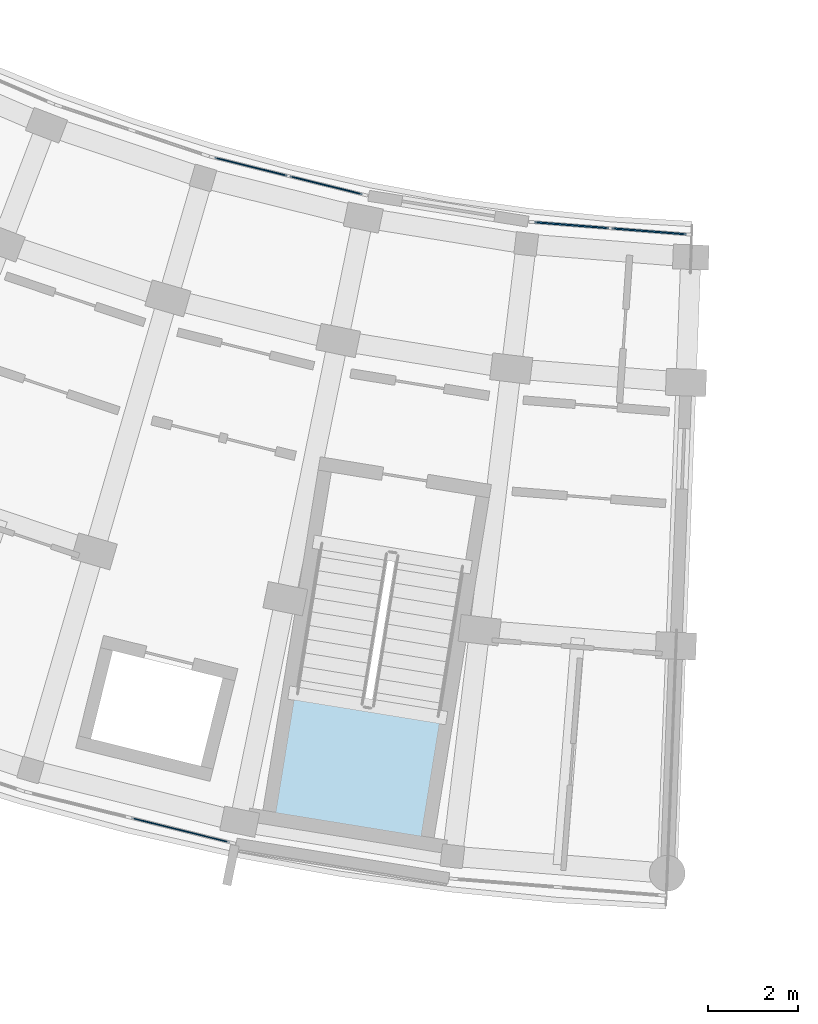
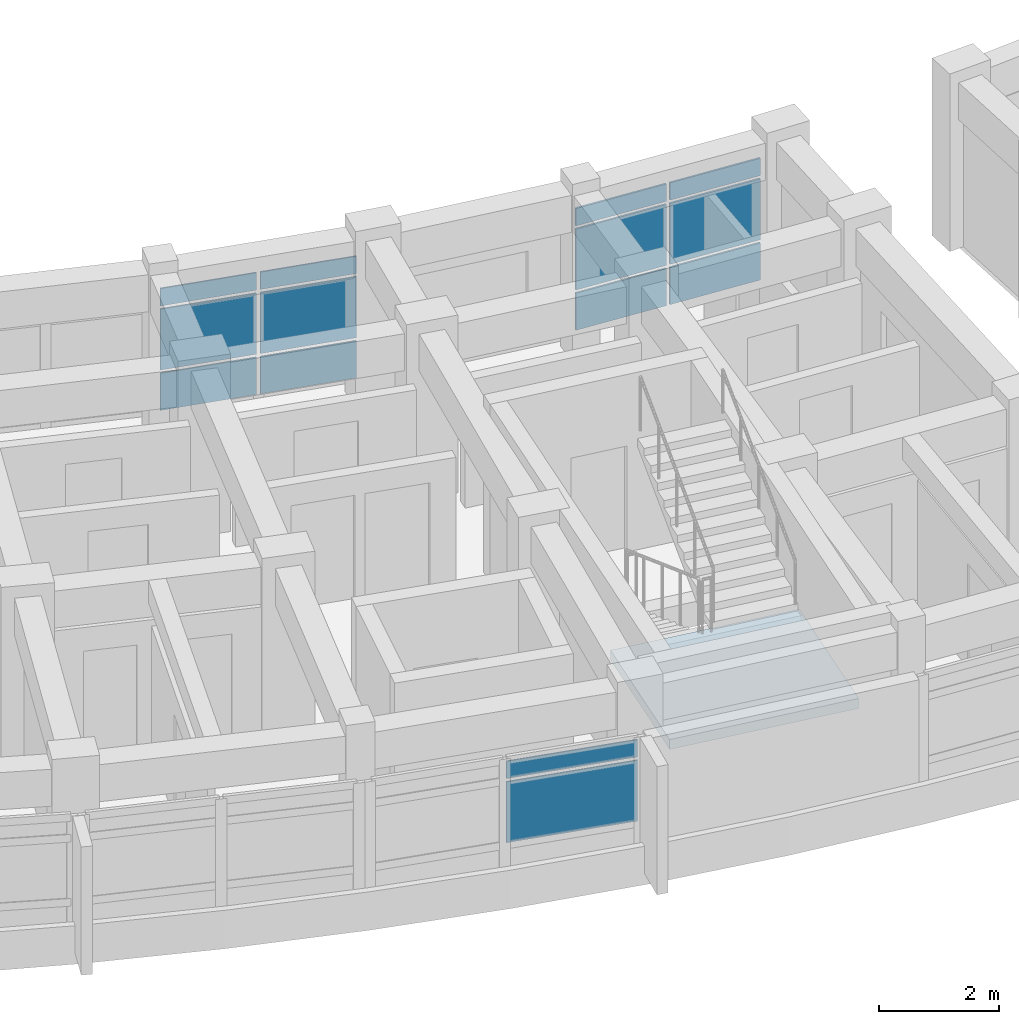
# One storey, part 44 of 83: 14 plates, 1 slab, 4 elements without a shape of their own.
"""IFC4 building model written with IfcOpenShell, lengths in metres."""

from ifc_helpers import new_model, si_unit, direction, frame, origin, origin_2d, place, context, subcontext, project, spatial, polyline, rectangle, outline, extrude, material, layer, layer_set, type_object, element, aggregate, save


model = new_model("IFC4")

# Units and contexts
model_context = context("Model", 3, precision=1e-05, world=origin(), true_north=direction((0.0, 1.0)))
body_context = subcontext(model_context, "Body", "Model", "MODEL_VIEW")
ifc_project = project(units=[si_unit("LENGTHUNIT", "METRE"), si_unit("AREAUNIT", "SQUARE_METRE"), si_unit("VOLUMEUNIT", "CUBIC_METRE"), si_unit("PLANEANGLEUNIT", "RADIAN"), si_unit("MASSUNIT", "GRAM", prefix="KILO")], contexts=[model_context])

# Site, building, storey
site_placement = place(None, origin())
site = spatial("IfcSite", under=ifc_project, at=site_placement, CompositionType="ELEMENT")
building_placement = place(site_placement, origin())
building = spatial("IfcBuilding", under=site, at=building_placement, Name="Zimvara Arc Housing Community", CompositionType="ELEMENT")
storey_placement = place(building_placement, frame((0.0, 0.0, 4.5)))
storey = spatial("IfcBuildingStorey", under=building, at=storey_placement, Name="L01", CompositionType="ELEMENT", Elevation=4.5)

# Curtain wall, plates
ifc_material_1 = material(Name="Anodised Aluminium AW-6063", Category="aluminium")
curtain_wall_type_1 = type_object("IfcCurtainWallType", Name="CW-SYS-04", PredefinedType="USERDEFINED", material=ifc_material_1)
curtain_wall_1_placement = place(storey_placement, origin())
curtain_wall_1 = element("IfcCurtainWall", 1, at=curtain_wall_1_placement, inside=storey, type_object=curtain_wall_type_1, Name="cw:blkC:L01:in:b9", ObjectType="CURTAIN WALL", PredefinedType="USERDEFINED")
ifc_material_2 = material(Name="Pale-Gold Anodised Aluminium Spandrel Panel", Category="aluminium")
ifc_layer_1 = layer(ifc_material_2, 0.035888671875)
ifc_layer_set_1 = layer_set([ifc_layer_1], Name="Pale-Gold Anodised Aluminium Spandrel Panel")
plate_type_1 = type_object("IfcPlateType", Name="CWP-GLD-36", PredefinedType="CURTAIN_PANEL", material=ifc_layer_set_1)
plate_1_placement = place(storey_placement, frame((121.589111328125, 65.485595703125, 0.06494140625), z_axis=(0.0, 0.0, 1.0), x_axis=(0.996862343506, -0.079154709897, 0.0)))
plate_1 = element("IfcPlate", 2, at=plate_1_placement, type_object=plate_type_1, Name="CW04 panel 1.1", PredefinedType="CURTAIN_PANEL", context=body_context, shape_type="SweptSolid", body=[
    extrude(rectangle(XDim=1.664306640625, YDim=0.035888671875, at=origin_2d()), origin(), (0.0, 0.0, 1.0), 0.75244140625),
])
plate_2_placement = place(storey_placement, frame((121.589111328125, 65.485595703125, 0.88232421875), z_axis=(0.0, 0.0, 1.0), x_axis=(0.996862343506, -0.079154709897, 0.0)))
plate_2 = element("IfcPlate", 3, at=plate_2_placement, type_object=plate_type_1, Name="CW04 panel 1.2", PredefinedType="CURTAIN_PANEL", context=body_context, shape_type="SweptSolid", body=[
    extrude(rectangle(XDim=1.664306640625, YDim=0.035888671875, at=origin_2d()), origin(), (0.0, 0.0, 1.0), 1.235107421875),
])
plate_3_placement = place(storey_placement, frame((121.589111328125, 65.485595703125, 2.182373046875), z_axis=(0.0, 0.0, 1.0), x_axis=(0.996862343506, -0.079154709897, 0.0)))
plate_3 = element("IfcPlate", 4, at=plate_3_placement, type_object=plate_type_1, Name="CW04 panel 1.3", PredefinedType="CURTAIN_PANEL", context=body_context, shape_type="SweptSolid", body=[
    extrude(rectangle(XDim=1.664306640625, YDim=0.035888671875, at=origin_2d()), origin(), (0.0, 0.0, 1.0), 0.3525390625),
])
plate_4_placement = place(storey_placement, frame((123.31298828125, 65.3486328125, 0.06494140625), z_axis=(0.0, 0.0, 1.0), x_axis=(0.996862343506, -0.079154709897, 0.0)))
plate_4 = element("IfcPlate", 5, at=plate_4_placement, type_object=plate_type_1, Name="CW04 panel 2.1", PredefinedType="CURTAIN_PANEL", context=body_context, shape_type="SweptSolid", body=[
    extrude(rectangle(XDim=1.664306640625, YDim=0.035888671875, at=origin_2d()), origin(), (0.0, 0.0, 1.0), 0.75244140625),
])
plate_5_placement = place(storey_placement, frame((123.31298828125, 65.3486328125, 0.88232421875), z_axis=(0.0, 0.0, 1.0), x_axis=(0.996862343506, -0.079154709897, 0.0)))
plate_5 = element("IfcPlate", 6, at=plate_5_placement, type_object=plate_type_1, Name="CW04 panel 2.2", PredefinedType="CURTAIN_PANEL", context=body_context, shape_type="SweptSolid", body=[
    extrude(rectangle(XDim=1.664306640625, YDim=0.035888671875, at=origin_2d()), origin(), (0.0, 0.0, 1.0), 1.235107421875),
])
plate_6_placement = place(storey_placement, frame((123.31298828125, 65.3486328125, 2.182373046875), z_axis=(0.0, 0.0, 1.0), x_axis=(0.996862343506, -0.079154709897, 0.0)))
plate_6 = element("IfcPlate", 7, at=plate_6_placement, type_object=plate_type_1, Name="CW04 panel 2.3", PredefinedType="CURTAIN_PANEL", context=body_context, shape_type="SweptSolid", body=[
    extrude(rectangle(XDim=1.664306640625, YDim=0.035888671875, at=origin_2d()), origin(), (0.0, 0.0, 1.0), 0.3525390625),
])
aggregate(curtain_wall_1, [plate_1, plate_2, plate_3, plate_4, plate_5, plate_6])

ifc_material_3 = material(Name="Anodised Aluminium AW-6063", Category="aluminium")
curtain_wall_type_2 = type_object("IfcCurtainWallType", Name="CW-SYS-01", PredefinedType="USERDEFINED", material=ifc_material_3)
curtain_wall_2_placement = place(storey_placement, origin())
curtain_wall_2 = element("IfcCurtainWall", 8, at=curtain_wall_2_placement, inside=storey, type_object=curtain_wall_type_2, Name="cw:blkC:L01:out:b7", ObjectType="CURTAIN WALL", PredefinedType="USERDEFINED")
ifc_material_4 = material(Name="Solar Control Low-E Double Glazing", Category="glass")
ifc_layer_2 = layer(ifc_material_4, 0.02392578125)
ifc_layer_set_2 = layer_set([ifc_layer_2], Name="Solar Control Low-E Double Glazing")
plate_type_2 = type_object("IfcPlateType", Name="CWP-GLZ-24", PredefinedType="CURTAIN_PANEL", material=ifc_layer_set_2)
plate_7_placement = place(storey_placement, frame((112.85888671875, 51.98681640625, 0.88232421875), z_axis=(0.0, 0.0, 1.0), x_axis=(0.970716068627, -0.240229711131, 0.0)))
plate_7 = element("IfcPlate", 9, at=plate_7_placement, type_object=plate_type_2, Name="CW01 panel 2.2", PredefinedType="CURTAIN_PANEL", context=body_context, shape_type="SweptSolid", body=[
    extrude(rectangle(XDim=2.266845703125, YDim=0.02392578125, at=origin_2d()), origin(), (0.0, 0.0, 1.0), 1.235107421875),
])
plate_8_placement = place(storey_placement, frame((112.85888671875, 51.98681640625, 2.182373046875), z_axis=(0.0, 0.0, 1.0), x_axis=(0.970716068627, -0.240229711131, 0.0)))
plate_8 = element("IfcPlate", 10, at=plate_8_placement, type_object=plate_type_2, Name="CW01 panel 2.3", PredefinedType="CURTAIN_PANEL", context=body_context, shape_type="SweptSolid", body=[
    extrude(rectangle(XDim=2.266845703125, YDim=0.02392578125, at=origin_2d()), origin(), (0.0, 0.0, 1.0), 0.3525390625),
])
aggregate(curtain_wall_2, [plate_7, plate_8])

ifc_material_5 = material(Name="Anodised Aluminium AW-6063", Category="aluminium")
curtain_wall_type_3 = type_object("IfcCurtainWallType", Name="CW-SYS-02", PredefinedType="USERDEFINED", material=ifc_material_5)
curtain_wall_3_placement = place(storey_placement, origin())
curtain_wall_3 = element("IfcCurtainWall", 11, at=curtain_wall_3_placement, inside=storey, type_object=curtain_wall_type_3, Name="cw:blkC:L01:in:b7", ObjectType="CURTAIN WALL", PredefinedType="USERDEFINED")
ifc_material_6 = material(Name="Solar Control Low-E Double Glazing", Category="glass")
ifc_layer_3 = layer(ifc_material_6, 0.028076171875)
ifc_layer_set_3 = layer_set([ifc_layer_3], Name="Solar Control Low-E Double Glazing")
plate_type_3 = type_object("IfcPlateType", Name="CWP-GLZ-28", PredefinedType="CURTAIN_PANEL", material=ifc_layer_set_3)
plate_9_placement = place(storey_placement, frame((114.4306640625, 66.79052734375, 0.06494140625), z_axis=(0.0, 0.0, 1.0), x_axis=(0.970716537698, -0.240227815706, 0.0)))
plate_9 = element("IfcPlate", 12, at=plate_9_placement, type_object=plate_type_3, Name="CW02 panel 1.1", PredefinedType="CURTAIN_PANEL", context=body_context, shape_type="SweptSolid", body=[
    extrude(rectangle(XDim=1.664306640625, YDim=0.028076171875, at=origin_2d()), origin(), (0.0, 0.0, 1.0), 0.75244140625),
])
plate_10_placement = place(storey_placement, frame((114.4306640625, 66.79052734375, 0.88232421875), z_axis=(0.0, 0.0, 1.0), x_axis=(0.970716537698, -0.240227815706, 0.0)))
plate_10 = element("IfcPlate", 13, at=plate_10_placement, type_object=plate_type_3, Name="CW02 panel 1.2", PredefinedType="CURTAIN_PANEL", context=body_context, shape_type="SweptSolid", body=[
    extrude(rectangle(XDim=1.664306640625, YDim=0.028076171875, at=origin_2d()), origin(), (0.0, 0.0, 1.0), 1.235107421875),
])
plate_11_placement = place(storey_placement, frame((114.4306640625, 66.79052734375, 2.182373046875), z_axis=(0.0, 0.0, 1.0), x_axis=(0.970716537698, -0.240227815706, 0.0)))
plate_11 = element("IfcPlate", 14, at=plate_11_placement, type_object=plate_type_3, Name="CW02 panel 1.3", PredefinedType="CURTAIN_PANEL", context=body_context, shape_type="SweptSolid", body=[
    extrude(rectangle(XDim=1.664306640625, YDim=0.028076171875, at=origin_2d()), origin(), (0.0, 0.0, 1.0), 0.3525390625),
])
plate_12_placement = place(storey_placement, frame((116.109375, 66.375, 0.06494140625), z_axis=(0.0, 0.0, 1.0), x_axis=(0.970716537698, -0.240227815706, 0.0)))
plate_12 = element("IfcPlate", 15, at=plate_12_placement, type_object=plate_type_3, Name="CW02 panel 2.1", PredefinedType="CURTAIN_PANEL", context=body_context, shape_type="SweptSolid", body=[
    extrude(rectangle(XDim=1.664306640625, YDim=0.028076171875, at=origin_2d()), origin(), (0.0, 0.0, 1.0), 0.75244140625),
])
plate_13_placement = place(storey_placement, frame((116.109375, 66.375, 0.88232421875), z_axis=(0.0, 0.0, 1.0), x_axis=(0.970716537698, -0.240227815706, 0.0)))
plate_13 = element("IfcPlate", 16, at=plate_13_placement, type_object=plate_type_3, Name="CW02 panel 2.2", PredefinedType="CURTAIN_PANEL", context=body_context, shape_type="SweptSolid", body=[
    extrude(rectangle(XDim=1.664306640625, YDim=0.028076171875, at=origin_2d()), origin(), (0.0, 0.0, 1.0), 1.235107421875),
])
plate_14_placement = place(storey_placement, frame((116.109375, 66.375, 2.182373046875), z_axis=(0.0, 0.0, 1.0), x_axis=(0.970716537698, -0.240227815706, 0.0)))
plate_14 = element("IfcPlate", 17, at=plate_14_placement, type_object=plate_type_3, Name="CW02 panel 2.3", PredefinedType="CURTAIN_PANEL", context=body_context, shape_type="SweptSolid", body=[
    extrude(rectangle(XDim=1.664306640625, YDim=0.028076171875, at=origin_2d()), origin(), (0.0, 0.0, 1.0), 0.3525390625),
])
aggregate(curtain_wall_3, [plate_9, plate_10, plate_11, plate_12, plate_13, plate_14])

# Stair, slab
ifc_material_7 = material(Name="Concrete C35/45", Category="concrete")
stair_type = type_object("IfcStairType", Name="STR-DL-310-360", PredefinedType="HALF_TURN_STAIR", material=ifc_material_7)
stair_placement = place(storey_placement, origin())
stair = element("IfcStair", 18, at=stair_placement, inside=storey, type_object=stair_type, Name="L01 Block C Exit Stair 2", PredefinedType="HALF_TURN_STAIR")
ifc_material_8 = material(Name="Concrete C35/45", Category="concrete")
ifc_layer_4 = layer(ifc_material_8, 0.199951171875)
ifc_layer_set_4 = layer_set([ifc_layer_4], Name="Concrete C35/45")
slab_type = type_object("IfcSlabType", Name="SLB-STAIR-LND-200", PredefinedType="LANDING", material=ifc_layer_set_4)
slab_placement = place(storey_placement, frame((0.0, 0.0, 1.60009765625)))
slab = element("IfcSlab", 19, at=slab_placement, type_object=slab_type, Name="ST-C2 landing 1", PredefinedType="LANDING", context=body_context, shape_type="SweptSolid", body=[
    extrude(outline(polyline([(115.385986328125, 55.07958984375), (114.942138671875, 52.345458984375), (118.2587890625, 51.80712890625), (118.702392578125, 54.541259765625), (115.385986328125, 55.07958984375)])), origin(), (0.0, 0.0, 1.0), 0.199951171875),
])
aggregate(stair, [slab])

save(model, "model.ifc")
